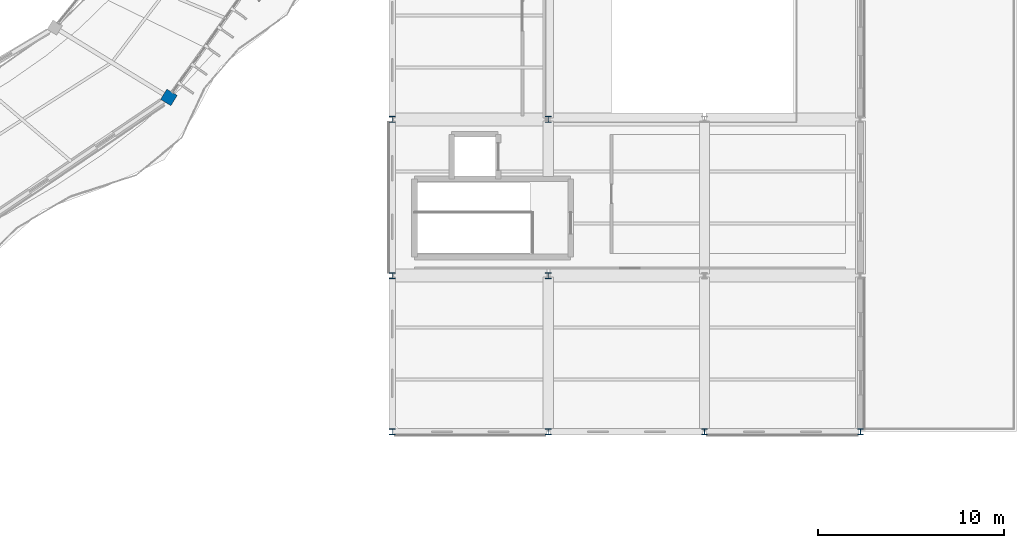
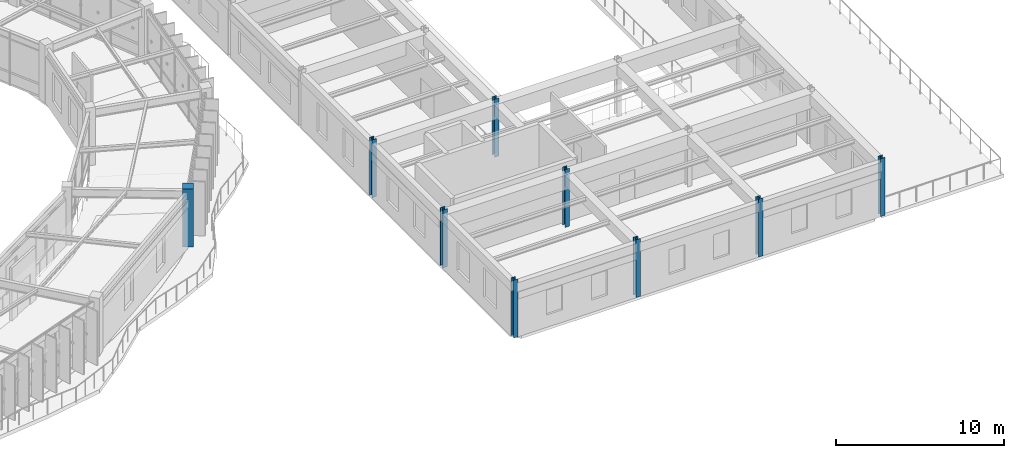
# One storey, part 2 of 114: 9 columns.
"""IFC4 building model written with IfcOpenShell, lengths in metres."""

from ifc_helpers import new_model, si_unit, direction, frame, origin, origin_2d, place, context, subcontext, project, spatial, rectangle, i_section, extrude, material, material_profile, profile_set, type_object, element, save


model = new_model("IFC4")

# Units and contexts
model_context = context("Model", 3, precision=1e-05, world=origin(), true_north=direction((0.0, 1.0)))
body_context = subcontext(model_context, "Body", "Model", "MODEL_VIEW")
ifc_project = project(units=[si_unit("LENGTHUNIT", "METRE"), si_unit("AREAUNIT", "SQUARE_METRE"), si_unit("VOLUMEUNIT", "CUBIC_METRE"), si_unit("PLANEANGLEUNIT", "RADIAN"), si_unit("MASSUNIT", "GRAM", prefix="KILO"), si_unit("THERMODYNAMICTEMPERATUREUNIT", "KELVIN"), si_unit("POWERUNIT", "WATT")], contexts=[model_context])

# Site, building, storey
site_placement = place(None, origin())
site = spatial("IfcSite", under=ifc_project, at=site_placement, CompositionType="ELEMENT")
building_placement = place(site_placement, origin())
building = spatial("IfcBuilding", under=site, at=building_placement, Name="Darbajah Civic Hall", CompositionType="ELEMENT")
storey_placement = place(building_placement, frame((0.0, 0.0, 13.800048828125)))
storey = spatial("IfcBuildingStorey", under=building, at=storey_placement, Name="L03", CompositionType="ELEMENT", Elevation=13.800048828125)

# Columns
ifc_material_1 = material(Name="Concrete C45/55", Category="concrete")
ifc_material_profile_1 = material_profile(ifc_material_1, rectangle(XDim=0.64990234375, YDim=0.64990234375, at=origin_2d()), Name="RC COL 650x650")
ifc_profile_set_1 = profile_set([ifc_material_profile_1], Name="Concrete C45/55")
column_type_1 = type_object("IfcColumnType", Name="RC COL 650x650", PredefinedType="COLUMN", material=ifc_profile_set_1)
column_placement = place(storey_placement, frame((132.584716796875, 74.38623046875, 0.0), z_axis=(0.0, 0.0, 1.0), x_axis=(0.852640164354, -0.522498564716, 0.0)))
element("IfcColumn", 1, at=column_placement, inside=storey, type_object=column_type_1, Name="L03 column C-RC650", PredefinedType="COLUMN", context=body_context, shape_type="SweptSolid", body=[
    extrude(rectangle(XDim=0.64990234375, YDim=0.64990234375, at=origin_2d()), origin(), (0.0, 0.0, 1.0), 4.199951171875),
])
ifc_material_2 = material(Name="Steel S355JR", Category="steel")
ifc_material_profile_2 = material_profile(ifc_material_2, i_section(OverallWidth=0.30908203125, OverallDepth=0.320556640625, WebThickness=0.013916015625, FlangeThickness=0.021728515625, FilletRadius=0.01513671875, at=origin_2d()), Name="UC 305x305x137")
ifc_profile_set_2 = profile_set([ifc_material_profile_2], Name="Steel S355JR")
column_type_2 = type_object("IfcColumnType", Name="UC 305x305x137", PredefinedType="COLUMN", material=ifc_profile_set_2)
for number, where, z_axis, x_axis, name in (
    (2, (144.60009765625, 56.39990234375, 0.0), (0.0, 0.0, 1.0), (1.0, 0.0, 0.0), "L03 column C-UC305"),
    (3, (144.60009765625, 64.800048828125, 0.0), (0.0, 0.0, 1.0), (1.0, 0.0, 0.0), "L03 column C-UC305"),
    (4, (144.60009765625, 73.199951171875, 0.0), (0.0, 0.0, 1.0), (1.0, 0.0, 0.0), "L03 column C-UC305"),
    (5, (153.0, 56.39990234375, 0.0), (0.0, 0.0, 1.0), (1.0, 0.0, 0.0), "L03 column C-UC305"),
    (6, (153.0, 64.800048828125, 0.0), (0.0, 0.0, 1.0), (1.0, 0.0, 0.0), "L03 column C-UC305"),
    (7, (153.0, 73.199951171875, 0.0), (0.0, 0.0, 1.0), (1.0, 0.0, 0.0), "L03 column C-UC305"),
    (8, (161.39990234375, 56.39990234375, 0.0), (0.0, 0.0, 1.0), (1.0, 0.0, 0.0), "L03 column C-UC305"),
    (9, (169.800048828125, 56.39990234375, 0.0), (0.0, 0.0, 1.0), (1.0, 0.0, 0.0), "L03 column C-UC305"),
):
    element("IfcColumn", number, at=place(storey_placement, frame(where, z_axis=z_axis, x_axis=x_axis)), inside=storey, type_object=column_type_2, Name=name, PredefinedType="COLUMN", context=body_context, shape_type="SweptSolid", body=[
        extrude(i_section(OverallWidth=0.30908203125, OverallDepth=0.320556640625, WebThickness=0.013916015625, FlangeThickness=0.021728515625, FilletRadius=0.01513671875, at=origin_2d()), origin(), (0.0, 0.0, 1.0), 4.199951171875),
    ])

save(model, "model.ifc")
